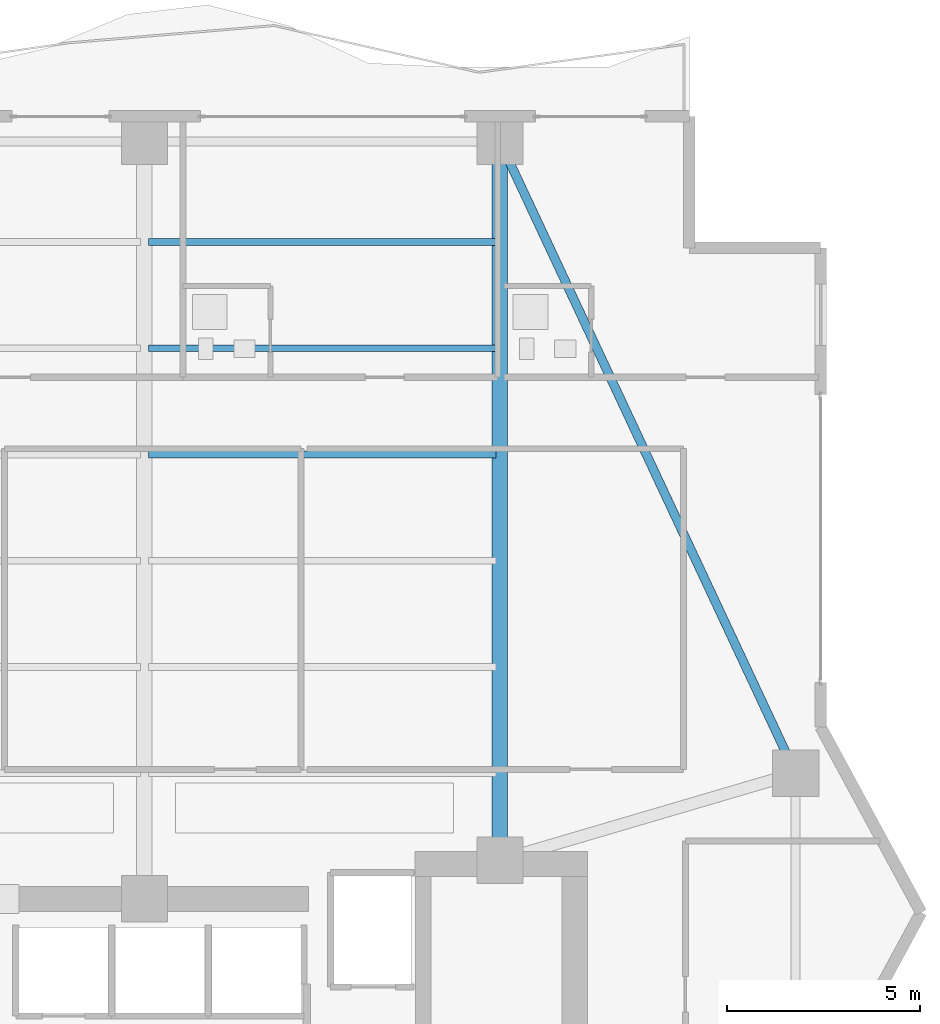
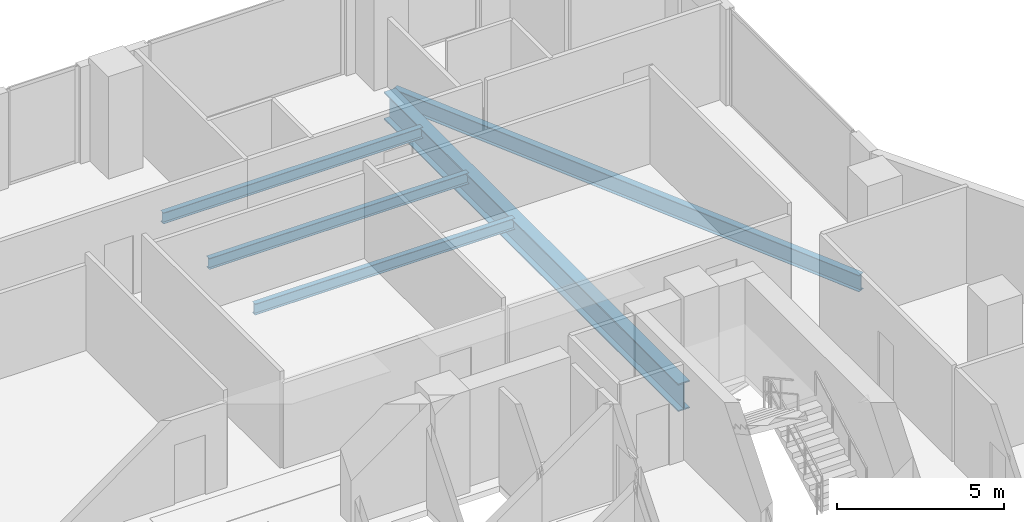
# One storey, part 20 of 32: 5 beams.
"""IFC4 building model written with IfcOpenShell, lengths in metres."""

from ifc_helpers import new_model, si_unit, direction, frame, origin, origin_2d, place, context, subcontext, project, spatial, i_section, extrude, material, material_profile, profile_set, type_object, element, save


model = new_model("IFC4")

# Units and contexts
model_context = context("Model", 3, precision=1e-05, world=origin(), true_north=direction((0.0, 1.0)))
body_context = subcontext(model_context, "Body", "Model", "MODEL_VIEW")
ifc_project = project(units=[si_unit("LENGTHUNIT", "METRE"), si_unit("AREAUNIT", "SQUARE_METRE"), si_unit("VOLUMEUNIT", "CUBIC_METRE"), si_unit("PLANEANGLEUNIT", "RADIAN"), si_unit("MASSUNIT", "GRAM", prefix="KILO")], contexts=[model_context])

# Site, building, storey
site_placement = place(None, origin())
site = spatial("IfcSite", under=ifc_project, at=site_placement, CompositionType="ELEMENT")
building_placement = place(site_placement, origin())
building = spatial("IfcBuilding", under=site, at=building_placement, Name="Zuhayl Quay Hotel", CompositionType="ELEMENT")
storey_placement = place(building_placement, frame((0.0, 0.0, 196.14990234375)))
storey = spatial("IfcBuildingStorey", under=building, at=storey_placement, Name="L49", CompositionType="ELEMENT", Elevation=196.14990234375)

# Beams
ifc_material = material(Name="Steel ASTM A992 Grade 50", Category="steel")
ifc_material_profile_1 = material_profile(ifc_material, i_section(OverallWidth=0.22802734375, OverallDepth=0.60693359375, WebThickness=0.01123046875, FlangeThickness=0.017333984375, at=origin_2d()), Name="W24X76")
ifc_profile_set_1 = profile_set([ifc_material_profile_1], Name="Steel ASTM A992 Grade 50")
beam_type_1 = type_object("IfcBeamType", Name="BM_B3_W24X76", PredefinedType="BEAM", material=ifc_profile_set_1)
beam_1_placement = place(storey_placement, frame((21.238037109375, 17.052978515625, -0.5234375), z_axis=(-0.423792164429, 0.905759461098, 0.0), x_axis=(-0.905759461098, -0.423792164429, 0.0)))
element("IfcBeam", 1, at=beam_1_placement, inside=storey, type_object=beam_type_1, Name="L49 Floor Beam RG_L49_06", PredefinedType="BEAM", context=body_context, shape_type="SweptSolid", body=[
    extrude(i_section(OverallWidth=0.22802734375, OverallDepth=0.60693359375, WebThickness=0.01123046875, FlangeThickness=0.017333984375, at=origin_2d()), origin(), (0.0, 0.0, 1.0), 17.051025390625),
])
ifc_material_profile_2 = material_profile(ifc_material, i_section(OverallWidth=0.177978515625, OverallDepth=0.406005859375, WebThickness=0.0078125, FlangeThickness=0.0126953125, at=origin_2d()), Name="W16X40")
ifc_profile_set_2 = profile_set([ifc_material_profile_2], Name="Steel ASTM A992 Grade 50")
beam_type_2 = type_object("IfcBeamType", Name="BM_J2B_W16X40", PredefinedType="JOIST", material=ifc_profile_set_2)
for number, where, z_axis, x_axis, name in (
    (2, (4.7060546875, 24.85009765625, -0.4228515625), (1.0, 0.0, 0.0), (0.0, 1.0, 0.0), "L49 Floor Beam FJ_L49_4_3"),
    (3, (4.7060546875, 27.60009765625, -0.4228515625), (1.0, 0.0, 0.0), (0.0, 1.0, 0.0), "L49 Floor Beam FJ_L49_5_3"),
    (4, (4.7060546875, 30.35009765625, -0.4228515625), (1.0, 0.0, 0.0), (0.0, 1.0, 0.0), "L49 Floor Beam FJ_L49_6_3"),
):
    element("IfcBeam", number, at=place(storey_placement, frame(where, z_axis=z_axis, x_axis=x_axis)), inside=storey, type_object=beam_type_2, Name=name, PredefinedType="JOIST", context=body_context, shape_type="SweptSolid", body=[
        extrude(i_section(OverallWidth=0.177978515625, OverallDepth=0.406005859375, WebThickness=0.0078125, FlangeThickness=0.0126953125, at=origin_2d()), origin(), (0.0, 0.0, 1.0), 8.988037109375),
    ])
ifc_material_profile_3 = material_profile(ifc_material, i_section(OverallWidth=0.40087890625, OverallDepth=1.010986328125, WebThickness=0.023681640625, FlangeThickness=0.0419921875, at=origin_2d()), Name="W40X297")
ifc_profile_set_3 = profile_set([ifc_material_profile_3], Name="Steel ASTM A992 Grade 50")
beam_type_3 = type_object("IfcBeamType", Name="BM_TG2_W40X297", PredefinedType="BEAM", material=ifc_profile_set_3)
beam_2_placement = place(storey_placement, frame((13.800048828125, 14.800048828125, -0.725341796875), z_axis=(0.0, 1.0, 0.0), x_axis=(-1.0, 0.0, 0.0)))
element("IfcBeam", 5, at=beam_2_placement, inside=storey, type_object=beam_type_3, Name="L49 Floor Beam FG_N_L49_4", PredefinedType="BEAM", context=body_context, shape_type="SweptSolid", body=[
    extrude(i_section(OverallWidth=0.40087890625, OverallDepth=1.010986328125, WebThickness=0.023681640625, FlangeThickness=0.0419921875, at=origin_2d()), origin(), (0.0, 0.0, 1.0), 17.64990234375),
])

save(model, "model.ifc")
